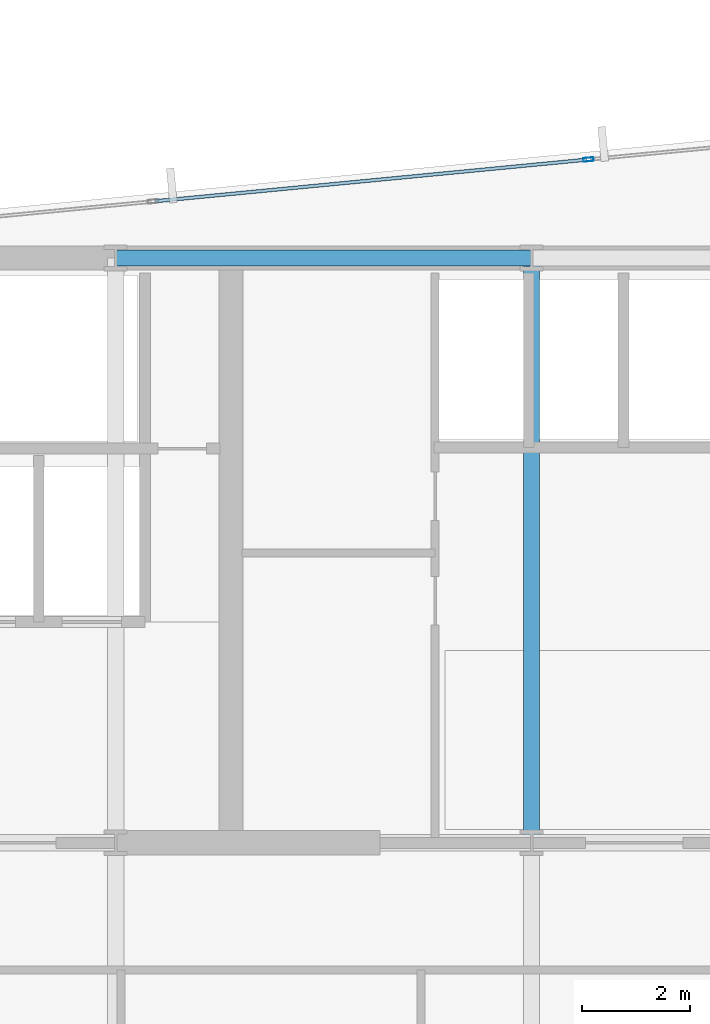
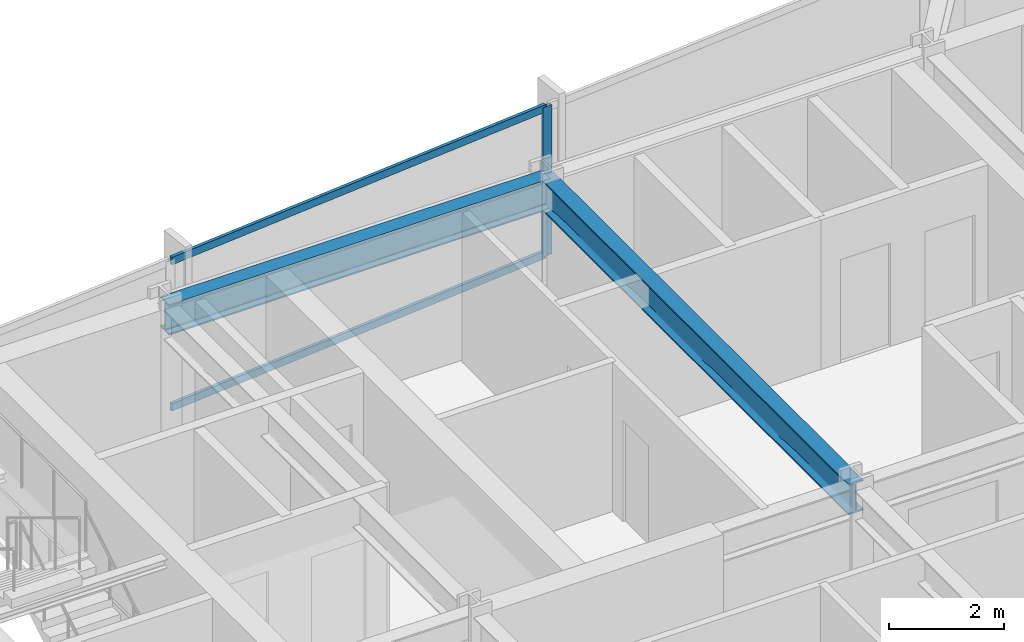
# One storey, part 19 of 33: 3 members, 2 beams, 1 element without a shape of its own.
"""IFC4 building model written with IfcOpenShell, lengths in metres."""

from ifc_helpers import new_model, si_unit, direction, frame, origin, origin_2d, place, context, subcontext, project, spatial, hollow_rectangle, i_section, extrude, material, material_profile, profile_set, type_object, element, aggregate, save


model = new_model("IFC4")

# Units and contexts
model_context = context("Model", 3, precision=1e-05, world=origin(), true_north=direction((0.0, 1.0)))
body_context = subcontext(model_context, "Body", "Model", "MODEL_VIEW")
ifc_project = project(units=[si_unit("LENGTHUNIT", "METRE"), si_unit("AREAUNIT", "SQUARE_METRE"), si_unit("VOLUMEUNIT", "CUBIC_METRE"), si_unit("PLANEANGLEUNIT", "RADIAN"), si_unit("MASSUNIT", "GRAM", prefix="KILO")], contexts=[model_context])

# Site, building, storey
site_placement = place(None, origin())
site = spatial("IfcSite", under=ifc_project, at=site_placement, CompositionType="ELEMENT")
building_placement = place(site_placement, origin())
building = spatial("IfcBuilding", under=site, at=building_placement, Name="Yelkora Congress Tower", CompositionType="ELEMENT")
storey_placement = place(building_placement, frame((0.0, 0.0, 123.699951171875)))
storey = spatial("IfcBuildingStorey", under=building, at=storey_placement, Name="L33", CompositionType="ELEMENT", Elevation=123.699951171875)

# Beams
ifc_material_1 = material(Name="Steel S355J2", Category="steel")
ifc_material_profile_1 = material_profile(ifc_material_1, i_section(OverallWidth=0.300048828125, OverallDepth=0.64990234375, WebThickness=0.01611328125, FlangeThickness=0.031005859375, FilletRadius=0.027099609375, at=origin_2d()), Name="HEB 650")
ifc_profile_set_1 = profile_set([ifc_material_profile_1], Name="Steel S355J2")
beam_type = type_object("IfcBeamType", Name="BM-GIRD-HEB650", PredefinedType="BEAM", material=ifc_profile_set_1)
beam_1_placement = place(storey_placement, frame((30.719970703125, 46.199951171875, 2.85498046875), z_axis=(1.0, 0.0, 0.0), x_axis=(0.0, 1.0, 0.0)))
element("IfcBeam", 1, at=beam_1_placement, inside=storey, type_object=beam_type, Name="L33 Core North Girder 3", PredefinedType="BEAM", context=body_context, shape_type="SweptSolid", body=[
    extrude(i_section(OverallWidth=0.300048828125, OverallDepth=0.64990234375, WebThickness=0.01611328125, FlangeThickness=0.031005859375, FilletRadius=0.027099609375, at=origin_2d()), origin(), (0.0, 0.0, 1.0), 7.679931640625),
])
beam_2_placement = place(storey_placement, frame((38.39990234375, 35.39990234375, 2.85498046875), z_axis=(0.0, 1.0, 0.0), x_axis=(-1.0, 0.0, 0.0)))
element("IfcBeam", 2, at=beam_2_placement, inside=storey, type_object=beam_type, Name="L33 Core Tie Girder MC-S3", PredefinedType="BEAM", context=body_context, shape_type="SweptSolid", body=[
    extrude(i_section(OverallWidth=0.300048828125, OverallDepth=0.64990234375, WebThickness=0.01611328125, FlangeThickness=0.031005859375, FilletRadius=0.027099609375, at=origin_2d()), origin(), (0.0, 0.0, 1.0), 10.800048828125),
])

# Curtain wall, members
ifc_material_2 = material(Name="Anodised aluminium and insulated glass", Category="aluminium")
curtain_wall_type = type_object("IfcCurtainWallType", Name="CW-SYS-B2", PredefinedType="NOTDEFINED", material=ifc_material_2)
curtain_wall_placement = place(storey_placement, origin())
curtain_wall = element("IfcCurtainWall", 3, at=curtain_wall_placement, inside=storey, type_object=curtain_wall_type, Name="L33 Unitised Curtain Wall 10 (3)", PredefinedType="NOTDEFINED")
ifc_material_3 = material(Name="Anodised aluminium 6063-T6", Category="aluminium")
ifc_material_profile_2 = material_profile(ifc_material_3, hollow_rectangle(XDim=0.070068359375, YDim=0.18994140625, WallThickness=0.00390625, at=origin_2d()), Name="ALU 70x190x4")
ifc_profile_set_2 = profile_set([ifc_material_profile_2], Name="Anodised aluminium 6063-T6")
member_type_1 = type_object("IfcMemberType", Name="MEM-ML-B2", PredefinedType="MULLION", material=ifc_profile_set_2)
member_1_placement = place(storey_placement, frame((39.451904296875, 48.018310546875, 0.0), z_axis=(0.0, 0.0, 1.0), x_axis=(-0.095844238468, 0.995396344153, 0.0)))
member_1 = element("IfcMember", 4, at=member_1_placement, type_object=member_type_1, Name="CW-B2 mullion 3", PredefinedType="MULLION", context=body_context, shape_type="SweptSolid", body=[
    extrude(hollow_rectangle(XDim=0.070068359375, YDim=0.18994140625, WallThickness=0.00390625, at=origin_2d()), origin(), (0.0, 0.0, 1.0), 3.179931640625),
])
ifc_material_profile_3 = material_profile(ifc_material_3, hollow_rectangle(XDim=0.06494140625, YDim=0.159912109375, WallThickness=0.00390625, at=origin_2d()), Name="ALU 65x160x4")
ifc_profile_set_3 = profile_set([ifc_material_profile_3], Name="Anodised aluminium 6063-T6")
member_type_2 = type_object("IfcMemberType", Name="MEM-TR-B2", PredefinedType="USERDEFINED", material=ifc_profile_set_3)
member_2_placement = place(storey_placement, frame((31.44677734375, 47.24755859375, 0.032470703125), z_axis=(0.995397793901, 0.09582918082, 0.0), x_axis=(-0.09582918082, 0.995397793901, 0.0)))
member_2 = element("IfcMember", 5, at=member_2_placement, type_object=member_type_2, Name="CW-B2 transom 2.1", ObjectType="TRANSOM", PredefinedType="USERDEFINED", context=body_context, shape_type="SweptSolid", body=[
    extrude(hollow_rectangle(XDim=0.06494140625, YDim=0.159912109375, WallThickness=0.00390625, at=origin_2d()), origin(), (0.0, 0.0, 1.0), 8.00732421875),
])
member_3_placement = place(storey_placement, frame((31.44677734375, 47.24755859375, 3.1474609375), z_axis=(0.995397793901, 0.09582918082, 0.0), x_axis=(-0.09582918082, 0.995397793901, 0.0)))
member_3 = element("IfcMember", 6, at=member_3_placement, type_object=member_type_2, Name="CW-B2 transom 2.2", ObjectType="TRANSOM", PredefinedType="USERDEFINED", context=body_context, shape_type="SweptSolid", body=[
    extrude(hollow_rectangle(XDim=0.06494140625, YDim=0.159912109375, WallThickness=0.00390625, at=origin_2d()), origin(), (0.0, 0.0, 1.0), 8.00732421875),
])
aggregate(curtain_wall, [member_1, member_2, member_3])

save(model, "model.ifc")
